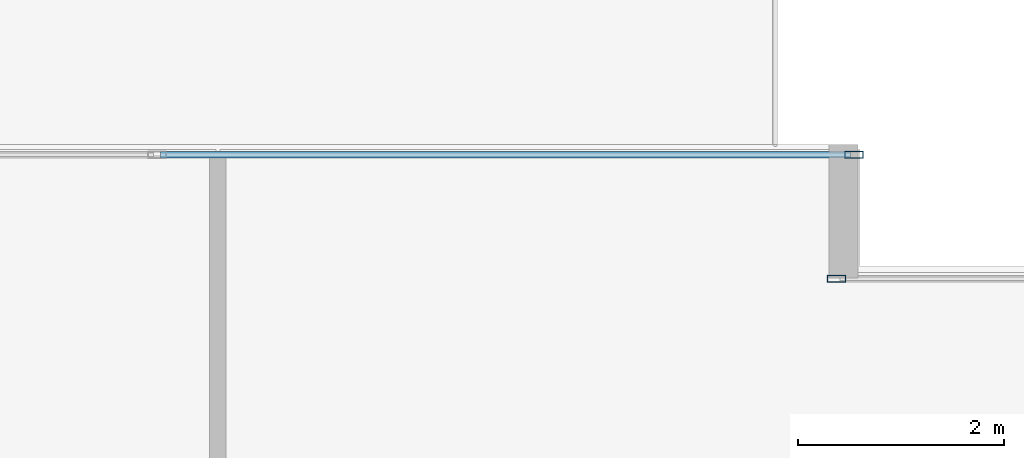
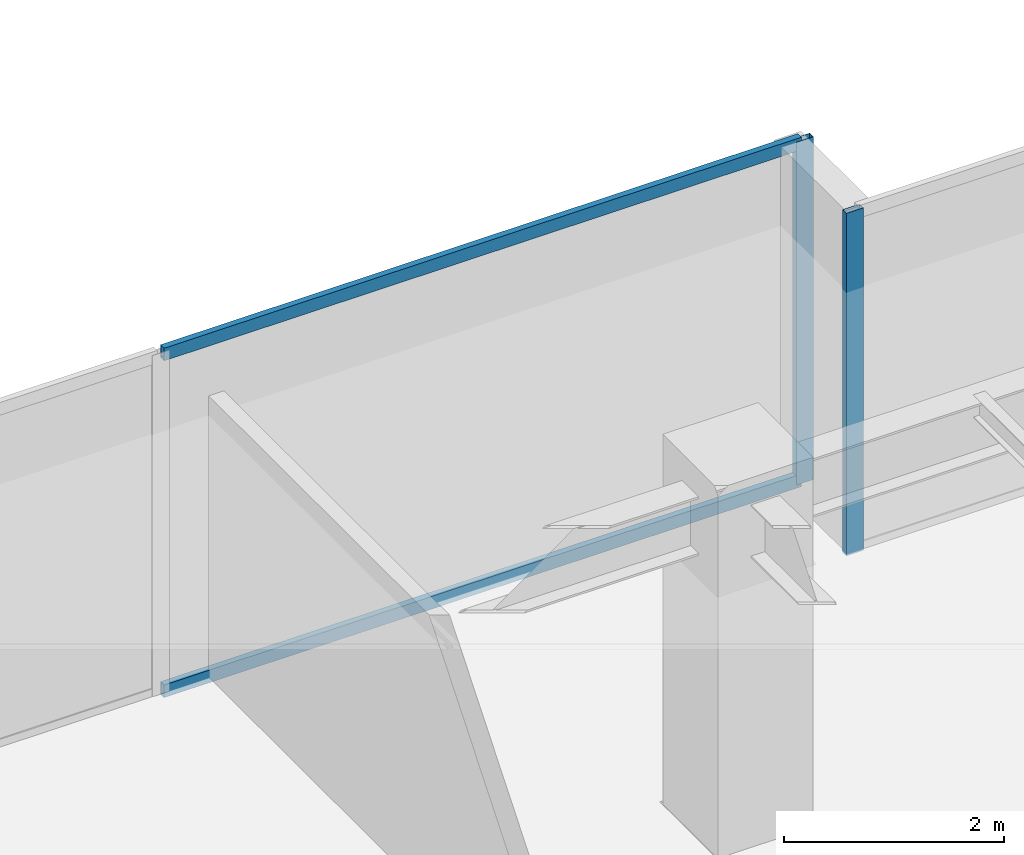
# One storey, part 17 of 35: 4 members, 2 elements without a shape of their own.
"""IFC4 building model written with IfcOpenShell, lengths in metres."""

import ifcopenshell
import ifcopenshell.guid

model = None  # the IFC model being written
_history = None  # IfcOwnerHistory: only IFC2X3 demands one
_inside = {}  # id of a spatial element -> (the spatial element, [elements in it])
_under = {}  # id of a project, library or spatial element -> (it, [spatial elements below it])
_declared = {}  # id of a project -> (the project, [libraries it declares])
_typed = {}  # id of a type object -> (the type object, [elements of that type])
_made_of = {}  # id of a material, layer set ... -> (it, [elements and type objects made of it])


def new_model(schema):
    """Start an empty IFC model of exactly this schema.

    Asked for "IFC4X3", IfcOpenShell would pick the latest addendum, in which some entities
    have other attributes; the version numbers below select the first issue.
    IFC2X3 requires an IfcOwnerHistory on every rooted entity: one is made here for all.
    """
    global model, _history
    if schema == "IFC4X3":
        model = ifcopenshell.file(schema_version=(4, 3, 0, 0))
    else:
        model = ifcopenshell.file(schema=schema)
    _inside.clear()
    _under.clear()
    _declared.clear()
    _typed.clear()
    _made_of.clear()
    _history = None
    if model.schema == "IFC2X3":
        org = make("IfcOrganization", Name="unknown")
        user = make(
            "IfcPersonAndOrganization",
            ThePerson=make("IfcPerson", FamilyName="unknown"),
            TheOrganization=org,
        )
        app = make(
            "IfcApplication",
            ApplicationDeveloper=org,
            Version="unknown",
            ApplicationFullName="unknown",
            ApplicationIdentifier="unknown",
        )
        _history = make(
            "IfcOwnerHistory",
            OwningUser=user,
            OwningApplication=app,
            ChangeAction="ADDED",
            CreationDate=0,
        )
    return model


def make(cls, **values):
    """One entity of the class cls with the attributes given. An attribute that is None is left unset."""
    return model.create_entity(
        cls, **{name: value for name, value in values.items() if value is not None}
    )


def rooted(cls, **values):
    """An entity with a GlobalId (a new one), such as an element, a storey or a relation."""
    return make(cls, GlobalId=ifcopenshell.guid.new(), OwnerHistory=_history, **values)


def si_unit(unit_type, name, prefix=None):
    """IfcSIUnit, for example si_unit("LENGTHUNIT", "METRE", prefix="MILLI")."""
    return make("IfcSIUnit", UnitType=unit_type, Prefix=prefix, Name=name)


def assignment(units):
    """IfcUnitAssignment: the units of a project."""
    return None if units is None else make("IfcUnitAssignment", Units=units)


def point(xyz):
    """IfcCartesianPoint."""
    return None if xyz is None else make("IfcCartesianPoint", Coordinates=xyz)


def direction(xyz):
    """IfcDirection."""
    return None if xyz is None else make("IfcDirection", DirectionRatios=xyz)


def frame(location, z_axis=None, x_axis=None):
    """IfcAxis2Placement3D, a coordinate frame: its origin and axes. An axis left out is left unset."""
    return make(
        "IfcAxis2Placement3D",
        Location=point(location),
        Axis=direction(z_axis),
        RefDirection=direction(x_axis),
    )


def frame_2d(location, x_axis=None):
    """IfcAxis2Placement2D, a coordinate frame in the plane: its origin and x axis."""
    return make(
        "IfcAxis2Placement2D", Location=point(location), RefDirection=direction(x_axis)
    )


def origin():
    """The frame at (0, 0, 0) with its axes left unset."""
    return frame((0.0, 0.0, 0.0))


def origin_2d():
    """The frame at (0, 0) in the plane with its x axis left unset."""
    return frame_2d((0.0, 0.0))


def place(relative_to, where):
    """IfcLocalPlacement: puts the frame where relative to a parent placement (None: the world)."""
    return make(
        "IfcLocalPlacement", PlacementRelTo=relative_to, RelativePlacement=where
    )


def context(
    kind, dimensions, precision=None, world=None, true_north=None, identifier=None
):
    """IfcGeometricRepresentationContext, for example the 3D "Model" context."""
    return make(
        "IfcGeometricRepresentationContext",
        ContextIdentifier=identifier,
        ContextType=kind,
        CoordinateSpaceDimension=dimensions,
        Precision=precision,
        WorldCoordinateSystem=world,
        TrueNorth=true_north,
    )


def subcontext(parent, identifier, kind, view, scale=None):
    """IfcGeometricRepresentationSubContext, for example "Body" below "Model"."""
    return make(
        "IfcGeometricRepresentationSubContext",
        ContextIdentifier=identifier,
        ContextType=kind,
        ParentContext=parent,
        TargetScale=scale,
        TargetView=view,
    )


def project(units=None, contexts=None):
    """IfcProject with its units and contexts."""
    return rooted(
        "IfcProject",
        Name="project",
        RepresentationContexts=contexts,
        UnitsInContext=assignment(units),
    )


def spatial(cls, under=None, at=None, **own):
    """A site, building, storey or space (cls), placed at a placement, below another one or the project."""
    s = rooted(cls, ObjectPlacement=at, **own)
    if under is not None:
        _under.setdefault(under.id(), (under, []))[1].append(s)
    return s


def profile(cls, at=None, kind="AREA", **sizes):
    """A parametric profile (cls). Its sizes go by their IFC names, for example OverallWidth=200.0."""
    return make(cls, ProfileType=kind, Position=at, **sizes)


def hollow_rectangle(**sizes):
    """IfcRectangleHollowProfileDef."""
    return profile("IfcRectangleHollowProfileDef", **sizes)


def extrude(swept, where, along, depth):
    """IfcExtrudedAreaSolid: the profile swept, set in the frame where, extruded along a direction by depth."""
    return make(
        "IfcExtrudedAreaSolid",
        SweptArea=swept,
        Position=where,
        ExtrudedDirection=direction(along),
        Depth=depth,
    )


def shape(context_of_items, identifier, shape_type, items):
    """IfcShapeRepresentation: the items that make up one representation, for example the "Body"."""
    return make(
        "IfcShapeRepresentation",
        ContextOfItems=context_of_items,
        RepresentationIdentifier=identifier,
        RepresentationType=shape_type,
        Items=items,
    )


def source(mapping_origin, context_of_items, identifier, shape_type, items):
    """IfcRepresentationMap: a shape defined once, which mapped items show again and again."""
    return make(
        "IfcRepresentationMap",
        MappingOrigin=mapping_origin,
        MappedRepresentation=shape(context_of_items, identifier, shape_type, items),
    )


def transform(
    local_origin,
    x_axis=None,
    y_axis=None,
    z_axis=None,
    scale=None,
    scale2=None,
    scale3=None,
    uniform=True,
):
    """IfcCartesianTransformationOperator3D, or its non-uniform kind. x_axis, y_axis, z_axis: its Axis1, 2, 3."""
    if uniform:
        return make(
            "IfcCartesianTransformationOperator3D",
            Axis1=direction(x_axis),
            Axis2=direction(y_axis),
            LocalOrigin=point(local_origin),
            Scale=scale,
            Axis3=direction(z_axis),
        )
    return make(
        "IfcCartesianTransformationOperator3DnonUniform",
        Axis1=direction(x_axis),
        Axis2=direction(y_axis),
        LocalOrigin=point(local_origin),
        Scale=scale,
        Axis3=direction(z_axis),
        Scale2=scale2,
        Scale3=scale3,
    )


def mapped(mapping_source, mapping_target):
    """IfcMappedItem: shows the shape of a source again, moved by a transform."""
    return make(
        "IfcMappedItem", MappingSource=mapping_source, MappingTarget=mapping_target
    )


def material(Name=None, Category=None):
    """IfcMaterial."""
    return make("IfcMaterial", Name=Name, Category=Category)


def layer(
    of_material, thickness, ventilated=None, Name=None, Category=None, Priority=None
):
    """IfcMaterialLayer: one layer of a wall or slab, of a material (None: an air gap)."""
    return make(
        "IfcMaterialLayer",
        Material=of_material,
        LayerThickness=thickness,
        IsVentilated=ventilated,
        Name=Name,
        Category=Category,
        Priority=Priority,
    )


def layer_set(layers, Name=None):
    """IfcMaterialLayerSet."""
    return make("IfcMaterialLayerSet", MaterialLayers=layers, LayerSetName=Name)


def material_profile(
    of_material, cross_section, Name=None, Category=None, Priority=None
):
    """IfcMaterialProfile: a cross section and its material."""
    return make(
        "IfcMaterialProfile",
        Name=Name,
        Material=of_material,
        Profile=cross_section,
        Priority=Priority,
        Category=Category,
    )


def profile_set(profiles, Name=None, composite=None):
    """IfcMaterialProfileSet."""
    return make(
        "IfcMaterialProfileSet",
        Name=Name,
        MaterialProfiles=profiles,
        CompositeProfile=composite,
    )


def made_of(thing, what):
    """Note that an element or type object is made of a material, layer set ...; save() writes the relation."""
    if what is not None:
        _made_of.setdefault(what.id(), (what, []))[1].append(thing)
    return thing


def type_object(cls, material=None, **own):
    """A type object (cls), such as IfcWallType, which elements share."""
    return made_of(rooted(cls, **own), material)


def type_shapes(of_type, sources):
    """Give a type object the sources (RepresentationMaps) that its elements show as mapped items."""
    of_type.RepresentationMaps = sources


def element(
    cls,
    number,
    at=None,
    inside=None,
    cuts=None,
    type_object=None,
    material=None,
    context=None,
    identifier="Body",
    shape_type=None,
    held_by="IfcProductDefinitionShape",
    body=None,
    shapes=None,
    **own,
):
    """One element of the class cls, such as IfcWall. Its Tag is "e" and its number.

    at: its placement. inside: the storey or other place that contains it. cuts: it is an
    opening in that element (IfcRelVoidsElement). A single representation is given by context,
    identifier, shape_type and body (its items); several are given by shapes. held_by: the class
    of the entity that holds the representations. save() writes the other relations.
    """
    e = rooted(cls, Tag="e%d" % number, ObjectPlacement=at, **own)
    if body is not None:
        shapes = [shape(context, identifier, shape_type, body)]
    if shapes is not None:
        e.Representation = make(held_by, Representations=shapes)
    if inside is not None:
        _inside.setdefault(inside.id(), (inside, []))[1].append(e)
    if cuts is not None:
        rooted(
            "IfcRelVoidsElement", RelatingBuildingElement=cuts, RelatedOpeningElement=e
        )
    if type_object is not None:
        _typed.setdefault(type_object.id(), (type_object, []))[1].append(e)
    return made_of(e, material)


def aggregate(whole, parts):
    """IfcRelAggregates: a whole, such as a stair, and the parts it consists of."""
    return rooted("IfcRelAggregates", RelatingObject=whole, RelatedObjects=parts)


def save(model, path):
    """Write the relations noted so far, then the file.

    IfcRelAggregates (storeys below a building ...), IfcRelContainedInSpatialStructure (elements
    in a storey), IfcRelDefinesByType, IfcRelAssociatesMaterial and IfcRelDeclares: one each for
    every whole, place, type object, material and project.
    """
    for whole, parts in _under.values():
        aggregate(whole, parts)
    for where, things in _inside.values():
        rooted(
            "IfcRelContainedInSpatialStructure",
            RelatedElements=things,
            RelatingStructure=where,
        )
    for kind, things in _typed.values():
        rooted("IfcRelDefinesByType", RelatedObjects=things, RelatingType=kind)
    for what, things in _made_of.values():
        rooted("IfcRelAssociatesMaterial", RelatedObjects=things, RelatingMaterial=what)
    for by, libraries in _declared.values():
        rooted("IfcRelDeclares", RelatingContext=by, RelatedDefinitions=libraries)
    model.write(path)


model = new_model("IFC4")

# Units and contexts
model_context = context("Model", 3, precision=1e-05, world=origin(), true_north=direction((0.0, 1.0)))
body_context = subcontext(model_context, "Body", "Model", "MODEL_VIEW")
ifc_project = project(units=[si_unit("LENGTHUNIT", "METRE"), si_unit("AREAUNIT", "SQUARE_METRE"), si_unit("VOLUMEUNIT", "CUBIC_METRE"), si_unit("PLANEANGLEUNIT", "RADIAN"), si_unit("MASSUNIT", "GRAM", prefix="KILO")], contexts=[model_context])

# Site, building, storey
site_placement = place(None, origin())
site = spatial("IfcSite", under=ifc_project, at=site_placement, CompositionType="ELEMENT")
building_placement = place(site_placement, origin())
building = spatial("IfcBuilding", under=site, at=building_placement, Name="Haelvirn Gate Laboratories", CompositionType="ELEMENT")
storey_placement = place(building_placement, frame((0.0, 0.0, 283.39990234375)))
storey = spatial("IfcBuildingStorey", under=building, at=storey_placement, Name="L68", CompositionType="ELEMENT", Elevation=283.39990234375)

# Curtain wall, member
ifc_material_1 = material(Name="Anodised bronze unitised aluminium & triple low-E glass", Category="aluminium")
ifc_layer = layer(ifc_material_1, 0.176025390625, Name="CW-SYS-4")
ifc_layer_set = layer_set([ifc_layer], Name="Anodised bronze unitised aluminium & triple low-E glass")
curtain_wall_type = type_object("IfcCurtainWallType", Name="CW-SYS-4", PredefinedType="NOTDEFINED", material=ifc_layer_set)
curtain_wall_1_placement = place(storey_placement, origin())
curtain_wall_1 = element("IfcCurtainWall", 1, at=curtain_wall_1_placement, inside=storey, type_object=curtain_wall_type, Name="L68 Unitised Curtain Wall CW-L68-P0-E12-1", PredefinedType="NOTDEFINED")
ifc_material_2 = material(Name="Extruded aluminium 6063-T6 (anodised bronze)", Category="aluminium")
ifc_material_profile_1 = material_profile(ifc_material_2, hollow_rectangle(XDim=0.070068359375, YDim=0.179931640625, WallThickness=0.0048828125, at=origin_2d()), Name="CWM-180x70x5")
ifc_profile_set_1 = profile_set([ifc_material_profile_1], Name="Extruded aluminium 6063-T6 (anodised bronze)")
member_type_1 = type_object("IfcMemberType", Name="CWM-T180", PredefinedType="MULLION", material=ifc_profile_set_1)
shared_shape_1 = source(origin(), body_context, "Body", "SweptSolid", [
    extrude(hollow_rectangle(XDim=0.070068359375, YDim=0.179931640625, WallThickness=0.0048828125, at=origin_2d()), origin(), (0.0, 0.0, 1.0), 3.800048828125),
])
type_shapes(member_type_1, [shared_shape_1])
member_1_placement = place(storey_placement, frame((25.195068359375, 44.699951171875, 0.0), z_axis=(0.0, 0.0, 1.0), x_axis=(0.0, 1.0, 0.0)))
member_1 = element("IfcMember", 2, at=member_1_placement, type_object=member_type_1, Name="CW4 mullion 1", PredefinedType="MULLION", context=body_context, shape_type="MappedRepresentation", body=[
    mapped(shared_shape_1, transform((0.0, 0.0, 0.0), scale=1.0)),
])
aggregate(curtain_wall_1, [member_1])

# Curtain wall, members
curtain_wall_2_placement = place(storey_placement, origin())
curtain_wall_2 = element("IfcCurtainWall", 3, at=curtain_wall_2_placement, inside=storey, type_object=curtain_wall_type, Name="L68 Unitised Curtain Wall CW-L68-P0-E14-2", PredefinedType="NOTDEFINED")
member_2_placement = place(storey_placement, frame((25.364990234375, 45.89990234375, 0.0), z_axis=(0.0, 0.0, 1.0), x_axis=(0.0, 1.0, 0.0)))
member_2 = element("IfcMember", 4, at=member_2_placement, type_object=member_type_1, Name="CW4 mullion 3", PredefinedType="MULLION", context=body_context, shape_type="MappedRepresentation", body=[
    mapped(shared_shape_1, transform((0.0, 0.0, 0.0), scale=1.0)),
])
ifc_material_profile_2 = material_profile(ifc_material_2, hollow_rectangle(XDim=0.06494140625, YDim=0.139892578125, WallThickness=0.00390625, at=origin_2d()), Name="CWT-140x65x4")
ifc_profile_set_2 = profile_set([ifc_material_profile_2], Name="Extruded aluminium 6063-T6 (anodised bronze)")
member_type_2 = type_object("IfcMemberType", Name="CWT-T140", PredefinedType="USERDEFINED", material=ifc_profile_set_2)
shared_shape_2 = source(origin(), body_context, "Body", "SweptSolid", [
    extrude(hollow_rectangle(XDim=0.06494140625, YDim=0.139892578125, WallThickness=0.00390625, at=origin_2d()), origin(), (0.0, 0.0, 1.0), 6.68505859375),
])
type_shapes(member_type_2, [shared_shape_2])
member_3_placement = place(storey_placement, frame((18.64501953125, 45.89990234375, 0.03271484375), z_axis=(1.0, 0.0, 0.0), x_axis=(0.0, 1.0, 0.0)))
member_3 = element("IfcMember", 5, at=member_3_placement, type_object=member_type_2, Name="CW4 transom 2.1", ObjectType="TRANSOM", PredefinedType="USERDEFINED", context=body_context, shape_type="MappedRepresentation", body=[
    mapped(shared_shape_2, transform((0.0, 0.0, 0.0), scale=1.0)),
])
member_4_placement = place(storey_placement, frame((18.64501953125, 45.89990234375, 3.767578125), z_axis=(1.0, 0.0, 0.0), x_axis=(0.0, 1.0, 0.0)))
member_4 = element("IfcMember", 6, at=member_4_placement, type_object=member_type_2, Name="CW4 transom 2.2", ObjectType="TRANSOM", PredefinedType="USERDEFINED", context=body_context, shape_type="MappedRepresentation", body=[
    mapped(shared_shape_2, transform((0.0, 0.0, 0.0), scale=1.0)),
])
aggregate(curtain_wall_2, [member_2, member_3, member_4])

save(model, "model.ifc")
